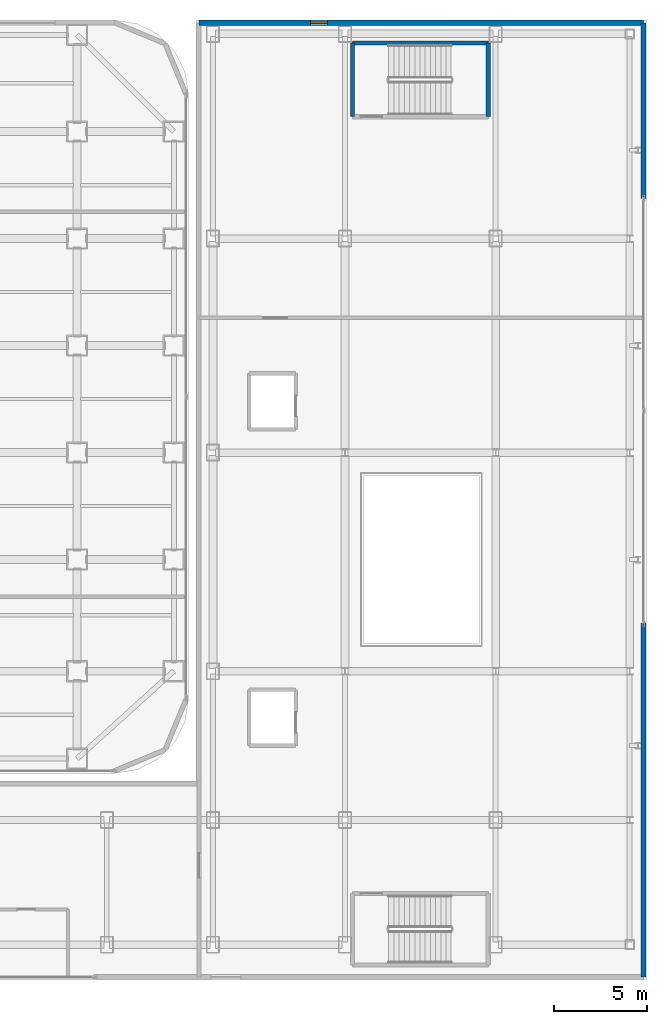
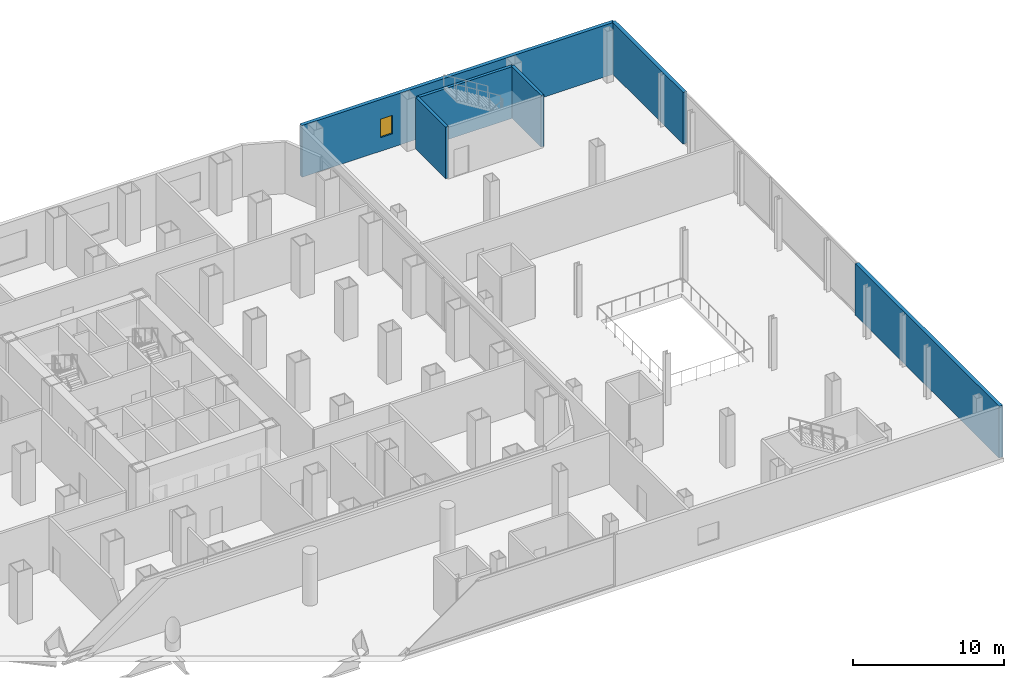
# One storey, part 22 of 27: 6 walls, 1 window, 1 opening.
"""IFC4 building model written with IfcOpenShell, lengths in metres."""

from ifc_helpers import new_model, si_unit, direction, frame, frame_2d, origin, place, context, subcontext, project, spatial, rectangle, extrude, material, layer, layer_set, type_object, element, fill, save


model = new_model("IFC4")

# Units and contexts
model_context = context("Model", 3, precision=1e-05, world=origin(), true_north=direction((0.0, 1.0)))
body_context = subcontext(model_context, "Body", "Model", "MODEL_VIEW")
ifc_project = project(units=[si_unit("LENGTHUNIT", "METRE"), si_unit("AREAUNIT", "SQUARE_METRE"), si_unit("VOLUMEUNIT", "CUBIC_METRE"), si_unit("PLANEANGLEUNIT", "RADIAN"), si_unit("MASSUNIT", "GRAM", prefix="KILO")], contexts=[model_context])

# Site, building, storey
site_placement = place(None, origin())
site = spatial("IfcSite", under=ifc_project, at=site_placement, CompositionType="ELEMENT")
building_placement = place(site_placement, origin())
building = spatial("IfcBuilding", under=site, at=building_placement, Name="Kolveth Station Tower", CompositionType="ELEMENT")
storey_placement = place(building_placement, frame((0.0, 0.0, 13.5)))
storey = spatial("IfcBuildingStorey", under=building, at=storey_placement, Name="L03", CompositionType="ELEMENT", Elevation=13.5)

# Walls
ifc_material_1 = material(Name="Precast concrete C40/50", Category="concrete")
ifc_layer_1 = layer(ifc_material_1, 0.280029296875)
ifc_layer_set_1 = layer_set([ifc_layer_1], Name="Precast concrete C40/50")
wall_type_1 = type_object("IfcWallType", Name="Wall_EW-280", PredefinedType="SOLIDWALL", material=ifc_layer_set_1)
wall_1_placement = place(storey_placement, frame((71.449951171875, -10.949951171875, 0.0), z_axis=(0.0, 0.0, 1.0), x_axis=(0.0, 1.0, 0.0)))
element("IfcWall", 1, at=wall_1_placement, inside=storey, type_object=wall_type_1, Name="L03 Station Exterior Wall E1", PredefinedType="SOLIDWALL", context=body_context, shape_type="SweptSolid", body=[
    extrude(rectangle(XDim=19.050048828125, YDim=0.280029296875, at=frame_2d((9.52490234375, 0.0))), origin(), (0.0, 0.0, 1.0), 4.179931640625),
])
wall_2_placement = place(storey_placement, frame((71.449951171875, 30.89990234375, 0.0), z_axis=(0.0, 0.0, 1.0), x_axis=(0.0, 1.0, 0.0)))
element("IfcWall", 2, at=wall_2_placement, inside=storey, type_object=wall_type_1, Name="L03 Station Exterior Wall E2", PredefinedType="SOLIDWALL", context=body_context, shape_type="SweptSolid", body=[
    extrude(rectangle(XDim=9.4501953125, YDim=0.280029296875, at=frame_2d((4.72509765625, 0.0))), origin(), (0.0, 0.0, 1.0), 4.179931640625),
])

# Wall, opening, window
wall_3_placement = place(storey_placement, frame((47.5400390625, 40.35009765625, 0.0), z_axis=(0.0, 0.0, 1.0), x_axis=(1.0, 0.0, 0.0)))
wall_3 = element("IfcWall", 3, at=wall_3_placement, inside=storey, type_object=wall_type_1, Name="L03 Station Exterior Wall N1", PredefinedType="SOLIDWALL", context=body_context, shape_type="SweptSolid", body=[
    extrude(rectangle(XDim=23.909912109375, YDim=0.280029296875, at=frame_2d((11.955078125, 0.0))), origin(), (0.0, 0.0, 1.0), 4.179931640625),
])
opening_placement = place(wall_3_placement, frame((6.010009765625, 0.0, 1.10009765625)))
opening = element("IfcOpeningElement", 4, at=opening_placement, cuts=wall_3, Name="Opening W8", PredefinedType="OPENING", context=body_context, shape_type="SweptSolid", body=[
    extrude(rectangle(XDim=0.89990234375, YDim=1.5, at=frame_2d((0.449951171875, 0.75))), frame((0.0, 0.14990234375, 0.0), z_axis=(0.0, -1.0, 0.0), x_axis=(1.0, 0.0, 0.0)), (0.0, 0.0, 1.0), 0.300048828125),
])
ifc_material_2 = material(Name="Black anodized aluminium 6063-T6 and frosted glass", Category="aluminium")
window_type = type_object("IfcWindowType", Name="Win_W8", PartitioningType="SINGLE_PANEL", PredefinedType="WINDOW", material=ifc_material_2)
window_placement = place(opening_placement, origin())
window = element("IfcWindow", 5, at=window_placement, inside=storey, type_object=window_type, Name="L03 Station Hall Window 4", OverallHeight=1.5, OverallWidth=0.89990234375, PartitioningType="SINGLE_PANEL", PredefinedType="WINDOW", context=body_context, shape_type="SweptSolid", body=[
    extrude(rectangle(XDim=0.89990234375, YDim=1.5, at=frame_2d((0.449951171875, 0.75))), frame((0.0, 0.030029296875, 0.0), z_axis=(0.0, -1.0, 0.0), x_axis=(1.0, 0.0, 0.0)), (0.0, 0.0, 1.0), 0.06005859375),
])
fill(opening, window)

# Walls
ifc_material_3 = material(Name="Concrete C40/50", Category="concrete")
ifc_layer_2 = layer(ifc_material_3, 0.219970703125)
ifc_layer_set_2 = layer_set([ifc_layer_2], Name="Concrete C40/50")
wall_type_2 = type_object("IfcWallType", Name="Wall_IW-220", PredefinedType="SOLIDWALL", material=ifc_layer_set_2)
wall_4_placement = place(storey_placement, frame((55.800048828125, 39.260009765625, 0.0), z_axis=(0.0, 0.0, 1.0), x_axis=(1.0, 0.0, 0.0)))
element("IfcWall", 6, at=wall_4_placement, inside=storey, type_object=wall_type_2, Name="L03 Stair Shaft Wall WL-L03-ST3-N", PredefinedType="SOLIDWALL", context=body_context, shape_type="SweptSolid", body=[
    extrude(rectangle(XDim=7.300048828125, YDim=0.219970703125, at=frame_2d((3.64990234375, 0.0))), origin(), (0.0, 0.0, 1.0), 4.179931640625),
])
for number, where, z_axis, x_axis, name in (
    (7, (55.800048828125, 35.300048828125, 0.0), (0.0, 0.0, 1.0), (0.0, 1.0, 0.0), "L03 Stair Shaft Wall WL-L03-ST3-W"),
    (8, (63.10009765625, 35.300048828125, 0.0), (0.0, 0.0, 1.0), (0.0, 1.0, 0.0), "L03 Stair Shaft Wall WL-L03-ST3-E"),
):
    element("IfcWall", number, at=place(storey_placement, frame(where, z_axis=z_axis, x_axis=x_axis)), inside=storey, type_object=wall_type_2, Name=name, PredefinedType="SOLIDWALL", context=body_context, shape_type="SweptSolid", body=[
        extrude(rectangle(XDim=3.9599609375, YDim=0.219970703125, at=frame_2d((1.97998046875, 0.0))), origin(), (0.0, 0.0, 1.0), 4.179931640625),
    ])

save(model, "model.ifc")
